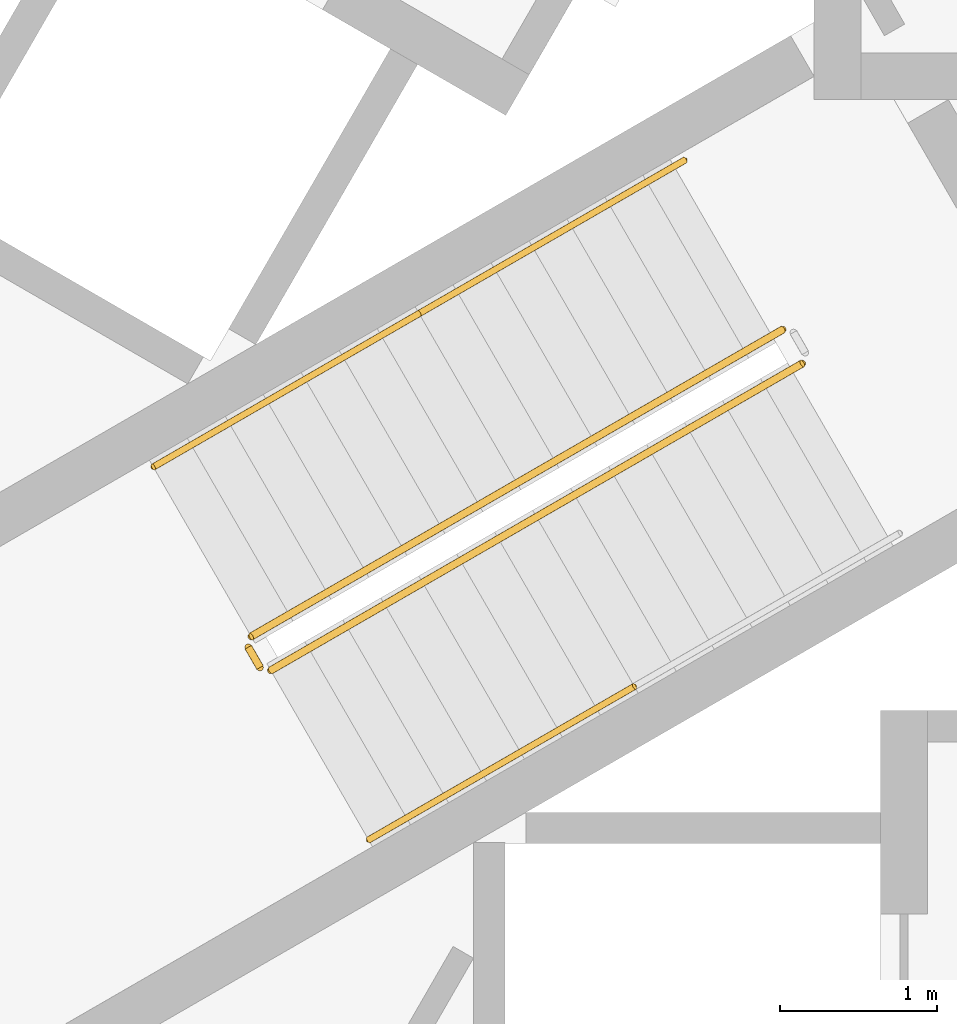
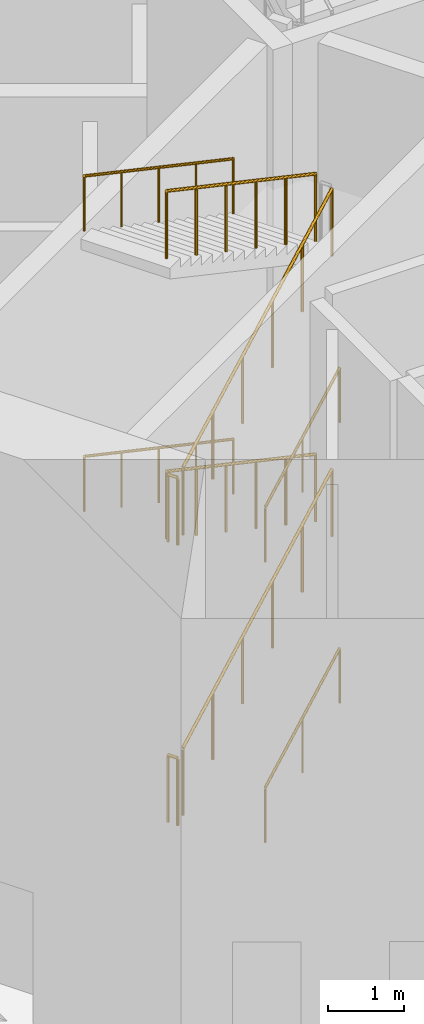
# One storey, part 18 of 26: 12 railings.
"""IFC4 building model written with IfcOpenShell, lengths in metres."""

from ifc_helpers import new_model, si_unit, direction, frame, origin, origin_2d, place, context, subcontext, project, spatial, circle, extrude, material, type_object, element, save


model = new_model("IFC4")

# Units and contexts
model_context = context("Model", 3, precision=1e-05, world=origin(), true_north=direction((0.0, 1.0)))
body_context = subcontext(model_context, "Body", "Model", "MODEL_VIEW")
ifc_project = project(units=[si_unit("LENGTHUNIT", "METRE"), si_unit("AREAUNIT", "SQUARE_METRE"), si_unit("VOLUMEUNIT", "CUBIC_METRE"), si_unit("PLANEANGLEUNIT", "RADIAN"), si_unit("MASSUNIT", "GRAM", prefix="KILO")], contexts=[model_context])

# Site, building, storey
site_placement = place(None, origin())
site = spatial("IfcSite", under=ifc_project, at=site_placement, CompositionType="ELEMENT")
building_placement = place(site_placement, origin())
building = spatial("IfcBuilding", under=site, at=building_placement, Name="Trine Commons Tower", CompositionType="ELEMENT")
storey_placement = place(building_placement, origin())
storey = spatial("IfcBuildingStorey", under=building, at=storey_placement, Name="L00", CompositionType="ELEMENT", Elevation=0.0)

# Railings
ifc_material_1 = material(Name="Stainless steel balustrade", Category="steel")
railing_type_1 = type_object("IfcRailingType", Name="Stair guard, steel balustrade 1100", PredefinedType="GUARDRAIL", material=ifc_material_1)
railing_1_placement = place(storey_placement, frame((74.80517578125, 59.3564453125, 0.14990234375)))
element("IfcRailing", 1, at=railing_1_placement, inside=storey, type_object=railing_type_1, Name="L00 ST2A stair guard 1", PredefinedType="GUARDRAIL", context=body_context, shape_type="SweptSolid", body=[
    extrude(circle(Radius=0.02392578125, at=origin_2d()), frame((0.0, 0.0, 1.076171875), z_axis=(0.763374939589, 0.440731680332, 0.472243885677), x_axis=(-0.499997407846, 0.86602690036, 0.0)), (0.0, 0.0, 1.0), 4.447021484375),
    extrude(circle(Radius=0.02099609375, at=origin_2d()), origin(), (0.0, 0.0, 1.0), 1.052001953125),
    extrude(circle(Radius=0.02099609375, at=origin_2d()), frame((0.678955078125, 0.39208984375, 0.419921875)), (0.0, 0.0, 1.0), 1.052001953125),
    extrude(circle(Radius=0.02099609375, at=origin_2d()), frame((1.35791015625, 0.783935546875, 0.840087890625)), (0.0, 0.0, 1.0), 1.052001953125),
    extrude(circle(Radius=0.02099609375, at=origin_2d()), frame((2.036865234375, 1.176025390625, 1.260009765625)), (0.0, 0.0, 1.0), 1.052001953125),
    extrude(circle(Radius=0.02099609375, at=origin_2d()), frame((2.7158203125, 1.56787109375, 1.68017578125)), (0.0, 0.0, 1.0), 1.052001953125),
    extrude(circle(Radius=0.02099609375, at=origin_2d()), frame((3.394775390625, 1.9599609375, 2.10009765625)), (0.0, 0.0, 1.0), 1.052001953125),
])
railing_2_placement = place(storey_placement, frame((78.074951171875, 61.532958984375, 2.39990234375)))
element("IfcRailing", 2, at=railing_2_placement, inside=storey, type_object=railing_type_1, Name="L00 ST2A stair guard 3", PredefinedType="GUARDRAIL", context=body_context, shape_type="SweptSolid", body=[
    extrude(circle(Radius=0.02392578125, at=origin_2d()), frame((0.0, 0.0, 1.076171875), z_axis=(-0.763374939589, -0.440731680332, 0.472243885677), x_axis=(0.499997407846, -0.86602690036, 0.0)), (0.0, 0.0, 1.0), 4.447021484375),
    extrude(circle(Radius=0.02099609375, at=origin_2d()), origin(), (0.0, 0.0, 1.0), 1.052001953125),
    extrude(circle(Radius=0.02099609375, at=origin_2d()), frame((-0.678955078125, -0.39208984375, 0.419921875)), (0.0, 0.0, 1.0), 1.052001953125),
    extrude(circle(Radius=0.02099609375, at=origin_2d()), frame((-1.35791015625, -0.783935546875, 0.840087890625)), (0.0, 0.0, 1.0), 1.052001953125),
    extrude(circle(Radius=0.02099609375, at=origin_2d()), frame((-2.036865234375, -1.176025390625, 1.260009765625)), (0.0, 0.0, 1.0), 1.052001953125),
    extrude(circle(Radius=0.02099609375, at=origin_2d()), frame((-2.7158203125, -1.56787109375, 1.68017578125)), (0.0, 0.0, 1.0), 1.052001953125),
    extrude(circle(Radius=0.02099609375, at=origin_2d()), frame((-3.394775390625, -1.9599609375, 2.10009765625)), (0.0, 0.0, 1.0), 1.052001953125),
])
railing_3_placement = place(storey_placement, frame((74.73681640625, 59.374755859375, 4.5)))
element("IfcRailing", 3, at=railing_3_placement, inside=storey, type_object=railing_type_1, Name="L00 ST2A stair guard 4", PredefinedType="GUARDRAIL", context=body_context, shape_type="SweptSolid", body=[
    extrude(circle(Radius=0.02392578125, at=origin_2d()), frame((0.0, 0.0, 1.076171875), z_axis=(-0.499816412211, 0.866131372301, 0.0), x_axis=(-0.866131372301, -0.499816412211, 0.0)), (0.0, 0.0, 1.0), 0.14990234375),
    extrude(circle(Radius=0.02099609375, at=origin_2d()), origin(), (0.0, 0.0, 1.0), 1.052001953125),
    extrude(circle(Radius=0.02099609375, at=origin_2d()), frame((-0.074951171875, 0.1298828125, 0.0)), (0.0, 0.0, 1.0), 1.052001953125),
])
railing_4_placement = place(storey_placement, frame((74.80517578125, 59.3564453125, 4.64990234375)))
element("IfcRailing", 4, at=railing_4_placement, inside=storey, type_object=railing_type_1, Name="L00 ST2A stair guard 5", PredefinedType="GUARDRAIL", context=body_context, shape_type="SweptSolid", body=[
    extrude(circle(Radius=0.02392578125, at=origin_2d()), frame((0.0, 0.0, 1.076171875), z_axis=(0.763374939589, 0.440731680332, 0.472243885677), x_axis=(-0.499997407846, 0.86602690036, 0.0)), (0.0, 0.0, 1.0), 4.447021484375),
    extrude(circle(Radius=0.02099609375, at=origin_2d()), origin(), (0.0, 0.0, 1.0), 1.052001953125),
    extrude(circle(Radius=0.02099609375, at=origin_2d()), frame((0.678955078125, 0.39208984375, 0.419921875)), (0.0, 0.0, 1.0), 1.052001953125),
    extrude(circle(Radius=0.02099609375, at=origin_2d()), frame((1.35791015625, 0.783935546875, 0.840087890625)), (0.0, 0.0, 1.0), 1.052001953125),
    extrude(circle(Radius=0.02099609375, at=origin_2d()), frame((2.036865234375, 1.176025390625, 1.260009765625)), (0.0, 0.0, 1.0), 1.052001953125),
    extrude(circle(Radius=0.02099609375, at=origin_2d()), frame((2.7158203125, 1.56787109375, 1.68017578125)), (0.0, 0.0, 1.0), 1.052001953125),
    extrude(circle(Radius=0.02099609375, at=origin_2d()), frame((3.394775390625, 1.9599609375, 2.10009765625)), (0.0, 0.0, 1.0), 1.052001953125),
])
railing_5_placement = place(storey_placement, frame((78.074951171875, 61.532958984375, 6.89990234375)))
element("IfcRailing", 5, at=railing_5_placement, inside=storey, type_object=railing_type_1, Name="L00 ST2A stair guard 7", PredefinedType="GUARDRAIL", context=body_context, shape_type="SweptSolid", body=[
    extrude(circle(Radius=0.02392578125, at=origin_2d()), frame((0.0, 0.0, 1.076171875), z_axis=(-0.763374939589, -0.440731680332, 0.472243885677), x_axis=(0.499997407846, -0.86602690036, 0.0)), (0.0, 0.0, 1.0), 4.447021484375),
    extrude(circle(Radius=0.02099609375, at=origin_2d()), origin(), (0.0, 0.0, 1.0), 1.052001953125),
    extrude(circle(Radius=0.02099609375, at=origin_2d()), frame((-0.678955078125, -0.39208984375, 0.419921875)), (0.0, 0.0, 1.0), 1.052001953125),
    extrude(circle(Radius=0.02099609375, at=origin_2d()), frame((-1.35791015625, -0.783935546875, 0.840087890625)), (0.0, 0.0, 1.0), 1.052001953125),
    extrude(circle(Radius=0.02099609375, at=origin_2d()), frame((-2.036865234375, -1.176025390625, 1.260009765625)), (0.0, 0.0, 1.0), 1.052001953125),
    extrude(circle(Radius=0.02099609375, at=origin_2d()), frame((-2.7158203125, -1.56787109375, 1.68017578125)), (0.0, 0.0, 1.0), 1.052001953125),
    extrude(circle(Radius=0.02099609375, at=origin_2d()), frame((-3.394775390625, -1.9599609375, 2.10009765625)), (0.0, 0.0, 1.0), 1.052001953125),
])
railing_6_placement = place(storey_placement, frame((74.73681640625, 59.374755859375, 0.0)))
element("IfcRailing", 6, at=railing_6_placement, inside=storey, type_object=railing_type_1, Name="L00 ST2A stair guard 8", PredefinedType="GUARDRAIL", context=body_context, shape_type="SweptSolid", body=[
    extrude(circle(Radius=0.02392578125, at=origin_2d()), frame((0.0, 0.0, 1.076171875), z_axis=(-0.499816412211, 0.866131372301, 0.0), x_axis=(-0.866131372301, -0.499816412211, 0.0)), (0.0, 0.0, 1.0), 0.14990234375),
    extrude(circle(Radius=0.02099609375, at=origin_2d()), origin(), (0.0, 0.0, 1.0), 1.052001953125),
    extrude(circle(Radius=0.02099609375, at=origin_2d()), frame((-0.074951171875, 0.1298828125, 0.0)), (0.0, 0.0, 1.0), 1.052001953125),
])
ifc_material_2 = material(Name="Stainless steel handrail", Category="steel")
railing_type_2 = type_object("IfcRailingType", Name="Stair handrail, steel 900", PredefinedType="HANDRAIL", material=ifc_material_2)
railing_7_placement = place(storey_placement, frame((75.43017578125, 58.27392578125, 0.14990234375)))
element("IfcRailing", 7, at=railing_7_placement, inside=storey, type_object=railing_type_2, Name="L00 ST2A stair handrail 1", PredefinedType="HANDRAIL", context=body_context, shape_type="SweptSolid", body=[
    extrude(circle(Radius=0.02099609375, at=origin_2d()), frame((0.0, 0.0, 0.87890625), z_axis=(0.763397845365, 0.440713210311, 0.472224095054), x_axis=(-0.499970440388, 0.866042469362, 0.0)), (0.0, 0.0, 1.0), 2.2236328125),
    extrude(circle(Radius=0.01513671875, at=origin_2d()), origin(), (0.0, 0.0, 1.0), 0.85791015625),
    extrude(circle(Radius=0.01513671875, at=origin_2d()), frame((0.8486328125, 0.489990234375, 0.52490234375)), (0.0, 0.0, 1.0), 0.85791015625),
    extrude(circle(Radius=0.01513671875, at=origin_2d()), frame((1.697509765625, 0.97998046875, 1.050048828125)), (0.0, 0.0, 1.0), 0.85791015625),
])
railing_8_placement = place(storey_placement, frame((77.449951171875, 62.615478515625, 2.39990234375)))
element("IfcRailing", 8, at=railing_8_placement, inside=storey, type_object=railing_type_2, Name="L00 ST2A stair handrail 3", PredefinedType="HANDRAIL", context=body_context, shape_type="SweptSolid", body=[
    extrude(circle(Radius=0.02099609375, at=origin_2d()), frame((0.0, 0.0, 0.87890625), z_axis=(-0.763352030933, -0.440750151347, 0.472263677365), x_axis=(0.500024377727, -0.866011328839, 0.0)), (0.0, 0.0, 1.0), 2.223388671875),
    extrude(circle(Radius=0.01513671875, at=origin_2d()), origin(), (0.0, 0.0, 1.0), 0.85791015625),
    extrude(circle(Radius=0.01513671875, at=origin_2d()), frame((-0.8486328125, -0.489990234375, 0.52490234375)), (0.0, 0.0, 1.0), 0.85791015625),
    extrude(circle(Radius=0.01513671875, at=origin_2d()), frame((-1.697265625, -0.97998046875, 1.050048828125)), (0.0, 0.0, 1.0), 0.85791015625),
])
railing_9_placement = place(storey_placement, frame((75.752685546875, 61.635498046875, 3.449951171875)))
element("IfcRailing", 9, at=railing_9_placement, inside=storey, type_object=railing_type_2, Name="L00 ST2A stair handrail 4", PredefinedType="HANDRAIL", context=body_context, shape_type="SweptSolid", body=[
    extrude(circle(Radius=0.02099609375, at=origin_2d()), frame((0.0, 0.0, 0.87890625), z_axis=(-0.763397845365, -0.440713210311, 0.472224095054), x_axis=(0.499970440388, -0.866042469362, 0.0)), (0.0, 0.0, 1.0), 2.2236328125),
    extrude(circle(Radius=0.01513671875, at=origin_2d()), origin(), (0.0, 0.0, 1.0), 0.85791015625),
    extrude(circle(Radius=0.01513671875, at=origin_2d()), frame((-0.8486328125, -0.489990234375, 0.52490234375)), (0.0, 0.0, 1.0), 0.85791015625),
    extrude(circle(Radius=0.01513671875, at=origin_2d()), frame((-1.697509765625, -0.97998046875, 1.050048828125)), (0.0, 0.0, 1.0), 0.85791015625),
])
railing_10_placement = place(storey_placement, frame((75.43017578125, 58.27392578125, 4.64990234375)))
element("IfcRailing", 10, at=railing_10_placement, inside=storey, type_object=railing_type_2, Name="L00 ST2A stair handrail 5", PredefinedType="HANDRAIL", context=body_context, shape_type="SweptSolid", body=[
    extrude(circle(Radius=0.02099609375, at=origin_2d()), frame((0.0, 0.0, 0.87890625), z_axis=(0.763397845365, 0.440713210311, 0.472224095054), x_axis=(-0.499970440388, 0.866042469362, 0.0)), (0.0, 0.0, 1.0), 2.2236328125),
    extrude(circle(Radius=0.01513671875, at=origin_2d()), origin(), (0.0, 0.0, 1.0), 0.85791015625),
    extrude(circle(Radius=0.01513671875, at=origin_2d()), frame((0.8486328125, 0.489990234375, 0.52490234375)), (0.0, 0.0, 1.0), 0.85791015625),
    extrude(circle(Radius=0.01513671875, at=origin_2d()), frame((1.697509765625, 0.97998046875, 1.050048828125)), (0.0, 0.0, 1.0), 0.85791015625),
])
railing_11_placement = place(storey_placement, frame((77.449951171875, 62.615478515625, 6.89990234375)))
element("IfcRailing", 11, at=railing_11_placement, inside=storey, type_object=railing_type_2, Name="L00 ST2A stair handrail 7", PredefinedType="HANDRAIL", context=body_context, shape_type="SweptSolid", body=[
    extrude(circle(Radius=0.02099609375, at=origin_2d()), frame((0.0, 0.0, 0.87890625), z_axis=(-0.763352030933, -0.440750151347, 0.472263677365), x_axis=(0.500024377727, -0.866011328839, 0.0)), (0.0, 0.0, 1.0), 2.223388671875),
    extrude(circle(Radius=0.01513671875, at=origin_2d()), origin(), (0.0, 0.0, 1.0), 0.85791015625),
    extrude(circle(Radius=0.01513671875, at=origin_2d()), frame((-0.8486328125, -0.489990234375, 0.52490234375)), (0.0, 0.0, 1.0), 0.85791015625),
    extrude(circle(Radius=0.01513671875, at=origin_2d()), frame((-1.697265625, -0.97998046875, 1.050048828125)), (0.0, 0.0, 1.0), 0.85791015625),
])
railing_12_placement = place(storey_placement, frame((75.752685546875, 61.635498046875, 7.949951171875)))
element("IfcRailing", 12, at=railing_12_placement, inside=storey, type_object=railing_type_2, Name="L00 ST2A stair handrail 8", PredefinedType="HANDRAIL", context=body_context, shape_type="SweptSolid", body=[
    extrude(circle(Radius=0.02099609375, at=origin_2d()), frame((0.0, 0.0, 0.87890625), z_axis=(-0.763397845365, -0.440713210311, 0.472224095054), x_axis=(0.499970440388, -0.866042469362, 0.0)), (0.0, 0.0, 1.0), 2.2236328125),
    extrude(circle(Radius=0.01513671875, at=origin_2d()), origin(), (0.0, 0.0, 1.0), 0.85791015625),
    extrude(circle(Radius=0.01513671875, at=origin_2d()), frame((-0.8486328125, -0.489990234375, 0.52490234375)), (0.0, 0.0, 1.0), 0.85791015625),
    extrude(circle(Radius=0.01513671875, at=origin_2d()), frame((-1.697509765625, -0.97998046875, 1.050048828125)), (0.0, 0.0, 1.0), 0.85791015625),
])

save(model, "model.ifc")
